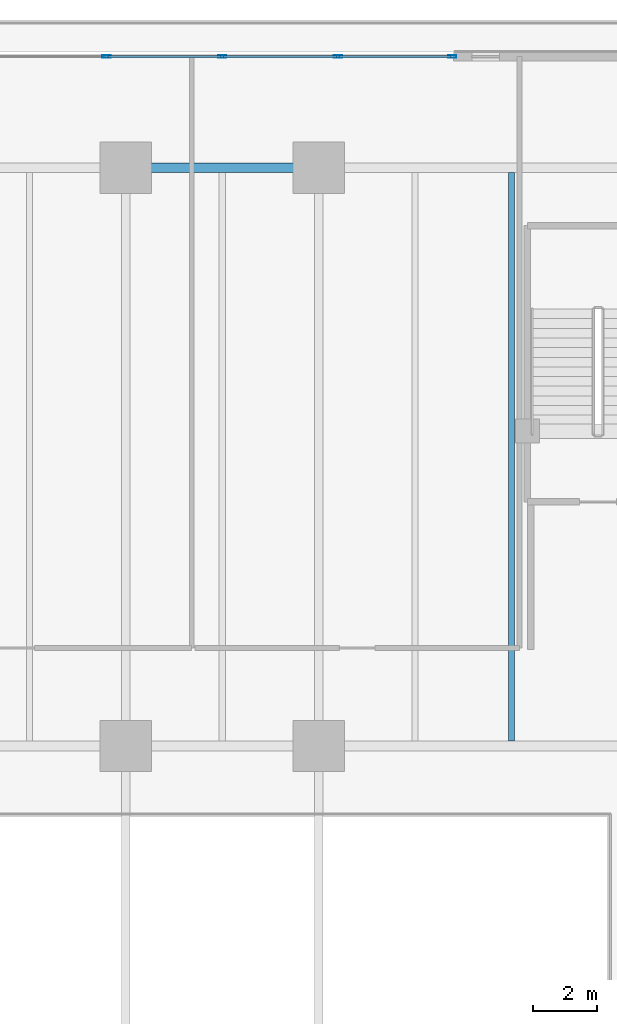
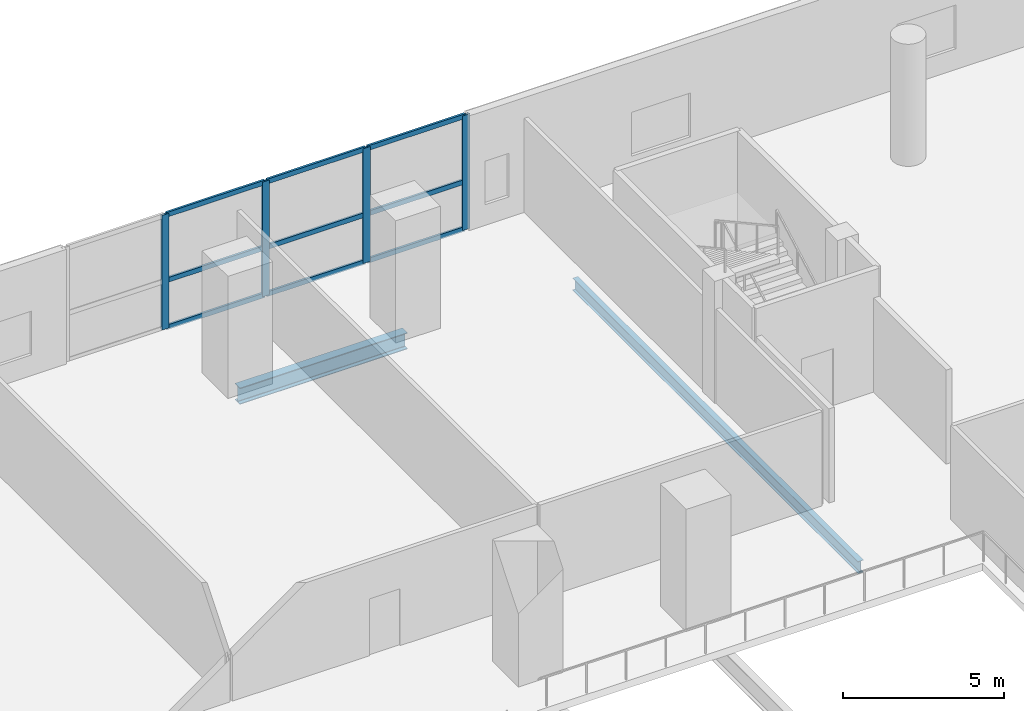
# One storey, part 7 of 27: 13 members, 2 beams, 1 element without a shape of its own.
"""IFC4 building model written with IfcOpenShell, lengths in metres."""

import ifcopenshell
import ifcopenshell.guid

model = None  # the IFC model being written
_history = None  # IfcOwnerHistory: only IFC2X3 demands one
_inside = {}  # id of a spatial element -> (the spatial element, [elements in it])
_under = {}  # id of a project, library or spatial element -> (it, [spatial elements below it])
_declared = {}  # id of a project -> (the project, [libraries it declares])
_typed = {}  # id of a type object -> (the type object, [elements of that type])
_made_of = {}  # id of a material, layer set ... -> (it, [elements and type objects made of it])


def new_model(schema):
    """Start an empty IFC model of exactly this schema.

    Asked for "IFC4X3", IfcOpenShell would pick the latest addendum, in which some entities
    have other attributes; the version numbers below select the first issue.
    IFC2X3 requires an IfcOwnerHistory on every rooted entity: one is made here for all.
    """
    global model, _history
    if schema == "IFC4X3":
        model = ifcopenshell.file(schema_version=(4, 3, 0, 0))
    else:
        model = ifcopenshell.file(schema=schema)
    _inside.clear()
    _under.clear()
    _declared.clear()
    _typed.clear()
    _made_of.clear()
    _history = None
    if model.schema == "IFC2X3":
        org = make("IfcOrganization", Name="unknown")
        user = make(
            "IfcPersonAndOrganization",
            ThePerson=make("IfcPerson", FamilyName="unknown"),
            TheOrganization=org,
        )
        app = make(
            "IfcApplication",
            ApplicationDeveloper=org,
            Version="unknown",
            ApplicationFullName="unknown",
            ApplicationIdentifier="unknown",
        )
        _history = make(
            "IfcOwnerHistory",
            OwningUser=user,
            OwningApplication=app,
            ChangeAction="ADDED",
            CreationDate=0,
        )
    return model


def make(cls, **values):
    """One entity of the class cls with the attributes given. An attribute that is None is left unset."""
    return model.create_entity(
        cls, **{name: value for name, value in values.items() if value is not None}
    )


def rooted(cls, **values):
    """An entity with a GlobalId (a new one), such as an element, a storey or a relation."""
    return make(cls, GlobalId=ifcopenshell.guid.new(), OwnerHistory=_history, **values)


def si_unit(unit_type, name, prefix=None):
    """IfcSIUnit, for example si_unit("LENGTHUNIT", "METRE", prefix="MILLI")."""
    return make("IfcSIUnit", UnitType=unit_type, Prefix=prefix, Name=name)


def assignment(units):
    """IfcUnitAssignment: the units of a project."""
    return None if units is None else make("IfcUnitAssignment", Units=units)


def point(xyz):
    """IfcCartesianPoint."""
    return None if xyz is None else make("IfcCartesianPoint", Coordinates=xyz)


def direction(xyz):
    """IfcDirection."""
    return None if xyz is None else make("IfcDirection", DirectionRatios=xyz)


def frame(location, z_axis=None, x_axis=None):
    """IfcAxis2Placement3D, a coordinate frame: its origin and axes. An axis left out is left unset."""
    return make(
        "IfcAxis2Placement3D",
        Location=point(location),
        Axis=direction(z_axis),
        RefDirection=direction(x_axis),
    )


def frame_2d(location, x_axis=None):
    """IfcAxis2Placement2D, a coordinate frame in the plane: its origin and x axis."""
    return make(
        "IfcAxis2Placement2D", Location=point(location), RefDirection=direction(x_axis)
    )


def origin():
    """The frame at (0, 0, 0) with its axes left unset."""
    return frame((0.0, 0.0, 0.0))


def origin_2d():
    """The frame at (0, 0) in the plane with its x axis left unset."""
    return frame_2d((0.0, 0.0))


def place(relative_to, where):
    """IfcLocalPlacement: puts the frame where relative to a parent placement (None: the world)."""
    return make(
        "IfcLocalPlacement", PlacementRelTo=relative_to, RelativePlacement=where
    )


def context(
    kind, dimensions, precision=None, world=None, true_north=None, identifier=None
):
    """IfcGeometricRepresentationContext, for example the 3D "Model" context."""
    return make(
        "IfcGeometricRepresentationContext",
        ContextIdentifier=identifier,
        ContextType=kind,
        CoordinateSpaceDimension=dimensions,
        Precision=precision,
        WorldCoordinateSystem=world,
        TrueNorth=true_north,
    )


def subcontext(parent, identifier, kind, view, scale=None):
    """IfcGeometricRepresentationSubContext, for example "Body" below "Model"."""
    return make(
        "IfcGeometricRepresentationSubContext",
        ContextIdentifier=identifier,
        ContextType=kind,
        ParentContext=parent,
        TargetScale=scale,
        TargetView=view,
    )


def project(units=None, contexts=None):
    """IfcProject with its units and contexts."""
    return rooted(
        "IfcProject",
        Name="project",
        RepresentationContexts=contexts,
        UnitsInContext=assignment(units),
    )


def spatial(cls, under=None, at=None, **own):
    """A site, building, storey or space (cls), placed at a placement, below another one or the project."""
    s = rooted(cls, ObjectPlacement=at, **own)
    if under is not None:
        _under.setdefault(under.id(), (under, []))[1].append(s)
    return s


def profile(cls, at=None, kind="AREA", **sizes):
    """A parametric profile (cls). Its sizes go by their IFC names, for example OverallWidth=200.0."""
    return make(cls, ProfileType=kind, Position=at, **sizes)


def hollow_rectangle(**sizes):
    """IfcRectangleHollowProfileDef."""
    return profile("IfcRectangleHollowProfileDef", **sizes)


def i_section(**sizes):
    """IfcIShapeProfileDef."""
    return profile("IfcIShapeProfileDef", **sizes)


def extrude(swept, where, along, depth):
    """IfcExtrudedAreaSolid: the profile swept, set in the frame where, extruded along a direction by depth."""
    return make(
        "IfcExtrudedAreaSolid",
        SweptArea=swept,
        Position=where,
        ExtrudedDirection=direction(along),
        Depth=depth,
    )


def shape(context_of_items, identifier, shape_type, items):
    """IfcShapeRepresentation: the items that make up one representation, for example the "Body"."""
    return make(
        "IfcShapeRepresentation",
        ContextOfItems=context_of_items,
        RepresentationIdentifier=identifier,
        RepresentationType=shape_type,
        Items=items,
    )


def material(Name=None, Category=None):
    """IfcMaterial."""
    return make("IfcMaterial", Name=Name, Category=Category)


def layer(
    of_material, thickness, ventilated=None, Name=None, Category=None, Priority=None
):
    """IfcMaterialLayer: one layer of a wall or slab, of a material (None: an air gap)."""
    return make(
        "IfcMaterialLayer",
        Material=of_material,
        LayerThickness=thickness,
        IsVentilated=ventilated,
        Name=Name,
        Category=Category,
        Priority=Priority,
    )


def layer_set(layers, Name=None):
    """IfcMaterialLayerSet."""
    return make("IfcMaterialLayerSet", MaterialLayers=layers, LayerSetName=Name)


def material_profile(
    of_material, cross_section, Name=None, Category=None, Priority=None
):
    """IfcMaterialProfile: a cross section and its material."""
    return make(
        "IfcMaterialProfile",
        Name=Name,
        Material=of_material,
        Profile=cross_section,
        Priority=Priority,
        Category=Category,
    )


def profile_set(profiles, Name=None, composite=None):
    """IfcMaterialProfileSet."""
    return make(
        "IfcMaterialProfileSet",
        Name=Name,
        MaterialProfiles=profiles,
        CompositeProfile=composite,
    )


def made_of(thing, what):
    """Note that an element or type object is made of a material, layer set ...; save() writes the relation."""
    if what is not None:
        _made_of.setdefault(what.id(), (what, []))[1].append(thing)
    return thing


def type_object(cls, material=None, **own):
    """A type object (cls), such as IfcWallType, which elements share."""
    return made_of(rooted(cls, **own), material)


def element(
    cls,
    number,
    at=None,
    inside=None,
    cuts=None,
    type_object=None,
    material=None,
    context=None,
    identifier="Body",
    shape_type=None,
    held_by="IfcProductDefinitionShape",
    body=None,
    shapes=None,
    **own,
):
    """One element of the class cls, such as IfcWall. Its Tag is "e" and its number.

    at: its placement. inside: the storey or other place that contains it. cuts: it is an
    opening in that element (IfcRelVoidsElement). A single representation is given by context,
    identifier, shape_type and body (its items); several are given by shapes. held_by: the class
    of the entity that holds the representations. save() writes the other relations.
    """
    e = rooted(cls, Tag="e%d" % number, ObjectPlacement=at, **own)
    if body is not None:
        shapes = [shape(context, identifier, shape_type, body)]
    if shapes is not None:
        e.Representation = make(held_by, Representations=shapes)
    if inside is not None:
        _inside.setdefault(inside.id(), (inside, []))[1].append(e)
    if cuts is not None:
        rooted(
            "IfcRelVoidsElement", RelatingBuildingElement=cuts, RelatedOpeningElement=e
        )
    if type_object is not None:
        _typed.setdefault(type_object.id(), (type_object, []))[1].append(e)
    return made_of(e, material)


def aggregate(whole, parts):
    """IfcRelAggregates: a whole, such as a stair, and the parts it consists of."""
    return rooted("IfcRelAggregates", RelatingObject=whole, RelatedObjects=parts)


def save(model, path):
    """Write the relations noted so far, then the file.

    IfcRelAggregates (storeys below a building ...), IfcRelContainedInSpatialStructure (elements
    in a storey), IfcRelDefinesByType, IfcRelAssociatesMaterial and IfcRelDeclares: one each for
    every whole, place, type object, material and project.
    """
    for whole, parts in _under.values():
        aggregate(whole, parts)
    for where, things in _inside.values():
        rooted(
            "IfcRelContainedInSpatialStructure",
            RelatedElements=things,
            RelatingStructure=where,
        )
    for kind, things in _typed.values():
        rooted("IfcRelDefinesByType", RelatedObjects=things, RelatingType=kind)
    for what, things in _made_of.values():
        rooted("IfcRelAssociatesMaterial", RelatedObjects=things, RelatingMaterial=what)
    for by, libraries in _declared.values():
        rooted("IfcRelDeclares", RelatingContext=by, RelatedDefinitions=libraries)
    model.write(path)


model = new_model("IFC4")

# Units and contexts
model_context = context("Model", 3, precision=1e-05, world=origin(), true_north=direction((0.0, 1.0)))
body_context = subcontext(model_context, "Body", "Model", "MODEL_VIEW")
ifc_project = project(units=[si_unit("LENGTHUNIT", "METRE"), si_unit("AREAUNIT", "SQUARE_METRE"), si_unit("VOLUMEUNIT", "CUBIC_METRE"), si_unit("PLANEANGLEUNIT", "RADIAN"), si_unit("MASSUNIT", "GRAM", prefix="KILO")], contexts=[model_context])

# Site, building, storey
site_placement = place(None, origin())
site = spatial("IfcSite", under=ifc_project, at=site_placement, CompositionType="ELEMENT")
building_placement = place(site_placement, origin())
building = spatial("IfcBuilding", under=site, at=building_placement, Name="Tanjung Sevakor Pilgrim Tower", CompositionType="ELEMENT")
storey_placement = place(building_placement, frame((0.0, 0.0, 14.85009765625)))
storey = spatial("IfcBuildingStorey", under=building, at=storey_placement, Name="L04", CompositionType="ELEMENT", Elevation=14.85009765625)

# Beams
ifc_material_1 = material(Name="Steel S355J2", Category="steel")
ifc_material_profile_1 = material_profile(ifc_material_1, i_section(OverallWidth=0.19140625, OverallDepth=0.4599609375, WebThickness=0.010009765625, FlangeThickness=0.01611328125, FilletRadius=0.01025390625, at=origin_2d()))
ifc_profile_set_1 = profile_set([ifc_material_profile_1], Name="Steel S355J2")
beam_type_1 = type_object("IfcBeamType", Name="BM-B-J2-UB_457x191x82", PredefinedType="JOIST", material=ifc_profile_set_1)
beam_1_placement = place(storey_placement, frame((66.0, 42.75341796875, -0.510009765625), z_axis=(0.0, 1.0, 0.0), x_axis=(-1.0, 0.0, 0.0)))
element("IfcBeam", 1, at=beam_1_placement, inside=storey, type_object=beam_type_1, Name="L04 Secondary Joist 030", PredefinedType="JOIST", context=body_context, shape_type="SweptSolid", body=[
    extrude(i_section(OverallWidth=0.19140625, OverallDepth=0.4599609375, WebThickness=0.010009765625, FlangeThickness=0.01611328125, FilletRadius=0.01025390625, at=origin_2d()), origin(), (0.0, 0.0, 1.0), 17.693115234375),
])
ifc_material_2 = material(Name="Steel S355J2", Category="steel")
ifc_material_profile_2 = material_profile(ifc_material_2, i_section(OverallWidth=0.30712890625, OverallDepth=0.6201171875, WebThickness=0.01416015625, FlangeThickness=0.023681640625, FilletRadius=0.0166015625, at=origin_2d()))
ifc_profile_set_2 = profile_set([ifc_material_profile_2], Name="Steel S355J2")
beam_type_2 = type_object("IfcBeamType", Name="BM-B-POD5-UB_610x305x179", PredefinedType="BEAM", material=ifc_profile_set_2)
beam_2_placement = place(storey_placement, frame((54.0, 60.60009765625, -0.590087890625), z_axis=(1.0, 0.0, 0.0), x_axis=(0.0, 1.0, 0.0)))
element("IfcBeam", 2, at=beam_2_placement, inside=storey, type_object=beam_type_2, Name="L04 Podium Girder EW Y60.6-4", PredefinedType="BEAM", context=body_context, shape_type="SweptSolid", body=[
    extrude(i_section(OverallWidth=0.30712890625, OverallDepth=0.6201171875, WebThickness=0.01416015625, FlangeThickness=0.023681640625, FilletRadius=0.0166015625, at=origin_2d()), origin(), (0.0, 0.0, 1.0), 6.0),
])

# Curtain wall, members
ifc_material_3 = material(Name="Aluminium 6063-T6 and Low-E Glass", Category="aluminium")
ifc_layer = layer(ifc_material_3, 0.179931640625)
ifc_layer_set = layer_set([ifc_layer], Name="CW-SYS-POD")
curtain_wall_type = type_object("IfcCurtainWallType", Name="CW-SYS-POD", PredefinedType="NOTDEFINED", material=ifc_layer_set)
curtain_wall_placement = place(storey_placement, origin())
curtain_wall = element("IfcCurtainWall", 3, at=curtain_wall_placement, inside=storey, type_object=curtain_wall_type, Name="L04 Curtain Wall CW-POD-L04-N", PredefinedType="NOTDEFINED")
ifc_material_4 = material(Name="Aluminium 6063-T6", Category="aluminium")
ifc_material_profile_3 = material_profile(ifc_material_4, hollow_rectangle(XDim=0.080078125, YDim=0.260009765625, WallThickness=0.0048828125, at=origin_2d()))
ifc_profile_set_3 = profile_set([ifc_material_profile_3], Name="Aluminium 6063-T6")
member_type_1 = type_object("IfcMemberType", Name="TYPE-CWM-3", PredefinedType="MULLION", material=ifc_profile_set_3)
member_1_placement = place(storey_placement, frame((64.159912109375, 64.06005859375, 0.0), z_axis=(0.0, 0.0, 1.0), x_axis=(0.0, -1.0, 0.0)))
member_1 = element("IfcMember", 4, at=member_1_placement, type_object=member_type_1, Name="CW-POD mullion 1", PredefinedType="MULLION", context=body_context, shape_type="SweptSolid", body=[
    extrude(hollow_rectangle(XDim=0.080078125, YDim=0.260009765625, WallThickness=0.0048828125, at=origin_2d()), origin(), (0.0, 0.0, 1.0), 4.33984375),
])
member_2_placement = place(storey_placement, frame((60.60009765625, 64.06005859375, 0.0), z_axis=(0.0, 0.0, 1.0), x_axis=(0.0, -1.0, 0.0)))
member_2 = element("IfcMember", 5, at=member_2_placement, type_object=member_type_1, Name="CW-POD mullion 2", PredefinedType="MULLION", context=body_context, shape_type="SweptSolid", body=[
    extrude(hollow_rectangle(XDim=0.080078125, YDim=0.260009765625, WallThickness=0.0048828125, at=origin_2d()), origin(), (0.0, 0.0, 1.0), 4.33984375),
])
member_3_placement = place(storey_placement, frame((57.0, 64.06005859375, 0.0), z_axis=(0.0, 0.0, 1.0), x_axis=(0.0, -1.0, 0.0)))
member_3 = element("IfcMember", 6, at=member_3_placement, type_object=member_type_1, Name="CW-POD mullion 3", PredefinedType="MULLION", context=body_context, shape_type="SweptSolid", body=[
    extrude(hollow_rectangle(XDim=0.080078125, YDim=0.260009765625, WallThickness=0.0048828125, at=origin_2d()), origin(), (0.0, 0.0, 1.0), 4.33984375),
])
member_4_placement = place(storey_placement, frame((53.39990234375, 64.06005859375, 0.0), z_axis=(0.0, 0.0, 1.0), x_axis=(0.0, -1.0, 0.0)))
member_4 = element("IfcMember", 7, at=member_4_placement, type_object=member_type_1, Name="CW-POD mullion 4", PredefinedType="MULLION", context=body_context, shape_type="SweptSolid", body=[
    extrude(hollow_rectangle(XDim=0.080078125, YDim=0.260009765625, WallThickness=0.0048828125, at=origin_2d()), origin(), (0.0, 0.0, 1.0), 4.33984375),
])
ifc_material_5 = material(Name="Aluminium 6063-T6", Category="aluminium")
ifc_material_profile_4 = material_profile(ifc_material_5, hollow_rectangle(XDim=0.080078125, YDim=0.179931640625, WallThickness=0.0048828125, at=origin_2d()))
ifc_profile_set_4 = profile_set([ifc_material_profile_4], Name="Aluminium 6063-T6")
member_type_2 = type_object("IfcMemberType", Name="TYPE-CWT-3", PredefinedType="USERDEFINED", material=ifc_profile_set_4)
member_5_placement = place(storey_placement, frame((64.1201171875, 64.06005859375, 0.039794921875), z_axis=(-1.0, 0.0, 0.0), x_axis=(0.0, -1.0, 0.0)))
member_5 = element("IfcMember", 8, at=member_5_placement, type_object=member_type_2, Name="CW-POD transom 1.1", ObjectType="TRANSOM", PredefinedType="USERDEFINED", context=body_context, shape_type="SweptSolid", body=[
    extrude(hollow_rectangle(XDim=0.080078125, YDim=0.179931640625, WallThickness=0.0048828125, at=origin_2d()), origin(), (0.0, 0.0, 1.0), 3.480224609375),
])
member_6_placement = place(storey_placement, frame((64.1201171875, 64.06005859375, 1.82275390625), z_axis=(-1.0, 0.0, 0.0), x_axis=(0.0, -1.0, 0.0)))
member_6 = element("IfcMember", 9, at=member_6_placement, type_object=member_type_2, Name="CW-POD transom 1.2", ObjectType="TRANSOM", PredefinedType="USERDEFINED", context=body_context, shape_type="SweptSolid", body=[
    extrude(hollow_rectangle(XDim=0.080078125, YDim=0.179931640625, WallThickness=0.0048828125, at=origin_2d()), origin(), (0.0, 0.0, 1.0), 3.480224609375),
])
member_7_placement = place(storey_placement, frame((64.1201171875, 64.06005859375, 4.2998046875), z_axis=(-1.0, 0.0, 0.0), x_axis=(0.0, -1.0, 0.0)))
member_7 = element("IfcMember", 10, at=member_7_placement, type_object=member_type_2, Name="CW-POD transom 1.3", ObjectType="TRANSOM", PredefinedType="USERDEFINED", context=body_context, shape_type="SweptSolid", body=[
    extrude(hollow_rectangle(XDim=0.080078125, YDim=0.179931640625, WallThickness=0.0048828125, at=origin_2d()), origin(), (0.0, 0.0, 1.0), 3.480224609375),
])
member_8_placement = place(storey_placement, frame((60.56005859375, 64.06005859375, 0.039794921875), z_axis=(-1.0, 0.0, 0.0), x_axis=(0.0, -1.0, 0.0)))
member_8 = element("IfcMember", 11, at=member_8_placement, type_object=member_type_2, Name="CW-POD transom 2.1", ObjectType="TRANSOM", PredefinedType="USERDEFINED", context=body_context, shape_type="SweptSolid", body=[
    extrude(hollow_rectangle(XDim=0.080078125, YDim=0.179931640625, WallThickness=0.0048828125, at=origin_2d()), origin(), (0.0, 0.0, 1.0), 3.52001953125),
])
member_9_placement = place(storey_placement, frame((60.56005859375, 64.06005859375, 1.82275390625), z_axis=(-1.0, 0.0, 0.0), x_axis=(0.0, -1.0, 0.0)))
member_9 = element("IfcMember", 12, at=member_9_placement, type_object=member_type_2, Name="CW-POD transom 2.2", ObjectType="TRANSOM", PredefinedType="USERDEFINED", context=body_context, shape_type="SweptSolid", body=[
    extrude(hollow_rectangle(XDim=0.080078125, YDim=0.179931640625, WallThickness=0.0048828125, at=origin_2d()), origin(), (0.0, 0.0, 1.0), 3.52001953125),
])
member_10_placement = place(storey_placement, frame((60.56005859375, 64.06005859375, 4.2998046875), z_axis=(-1.0, 0.0, 0.0), x_axis=(0.0, -1.0, 0.0)))
member_10 = element("IfcMember", 13, at=member_10_placement, type_object=member_type_2, Name="CW-POD transom 2.3", ObjectType="TRANSOM", PredefinedType="USERDEFINED", context=body_context, shape_type="SweptSolid", body=[
    extrude(hollow_rectangle(XDim=0.080078125, YDim=0.179931640625, WallThickness=0.0048828125, at=origin_2d()), origin(), (0.0, 0.0, 1.0), 3.52001953125),
])
member_11_placement = place(storey_placement, frame((56.9599609375, 64.06005859375, 0.039794921875), z_axis=(-1.0, 0.0, 0.0), x_axis=(0.0, -1.0, 0.0)))
member_11 = element("IfcMember", 14, at=member_11_placement, type_object=member_type_2, Name="CW-POD transom 3.1", ObjectType="TRANSOM", PredefinedType="USERDEFINED", context=body_context, shape_type="SweptSolid", body=[
    extrude(hollow_rectangle(XDim=0.080078125, YDim=0.179931640625, WallThickness=0.0048828125, at=origin_2d()), origin(), (0.0, 0.0, 1.0), 3.52001953125),
])
member_12_placement = place(storey_placement, frame((56.9599609375, 64.06005859375, 1.82275390625), z_axis=(-1.0, 0.0, 0.0), x_axis=(0.0, -1.0, 0.0)))
member_12 = element("IfcMember", 15, at=member_12_placement, type_object=member_type_2, Name="CW-POD transom 3.2", ObjectType="TRANSOM", PredefinedType="USERDEFINED", context=body_context, shape_type="SweptSolid", body=[
    extrude(hollow_rectangle(XDim=0.080078125, YDim=0.179931640625, WallThickness=0.0048828125, at=origin_2d()), origin(), (0.0, 0.0, 1.0), 3.52001953125),
])
member_13_placement = place(storey_placement, frame((56.9599609375, 64.06005859375, 4.2998046875), z_axis=(-1.0, 0.0, 0.0), x_axis=(0.0, -1.0, 0.0)))
member_13 = element("IfcMember", 16, at=member_13_placement, type_object=member_type_2, Name="CW-POD transom 3.3", ObjectType="TRANSOM", PredefinedType="USERDEFINED", context=body_context, shape_type="SweptSolid", body=[
    extrude(hollow_rectangle(XDim=0.080078125, YDim=0.179931640625, WallThickness=0.0048828125, at=origin_2d()), origin(), (0.0, 0.0, 1.0), 3.52001953125),
])
aggregate(curtain_wall, [member_1, member_2, member_3, member_4, member_5, member_6, member_7, member_8, member_9, member_10, member_11, member_12, member_13])

save(model, "model.ifc")
